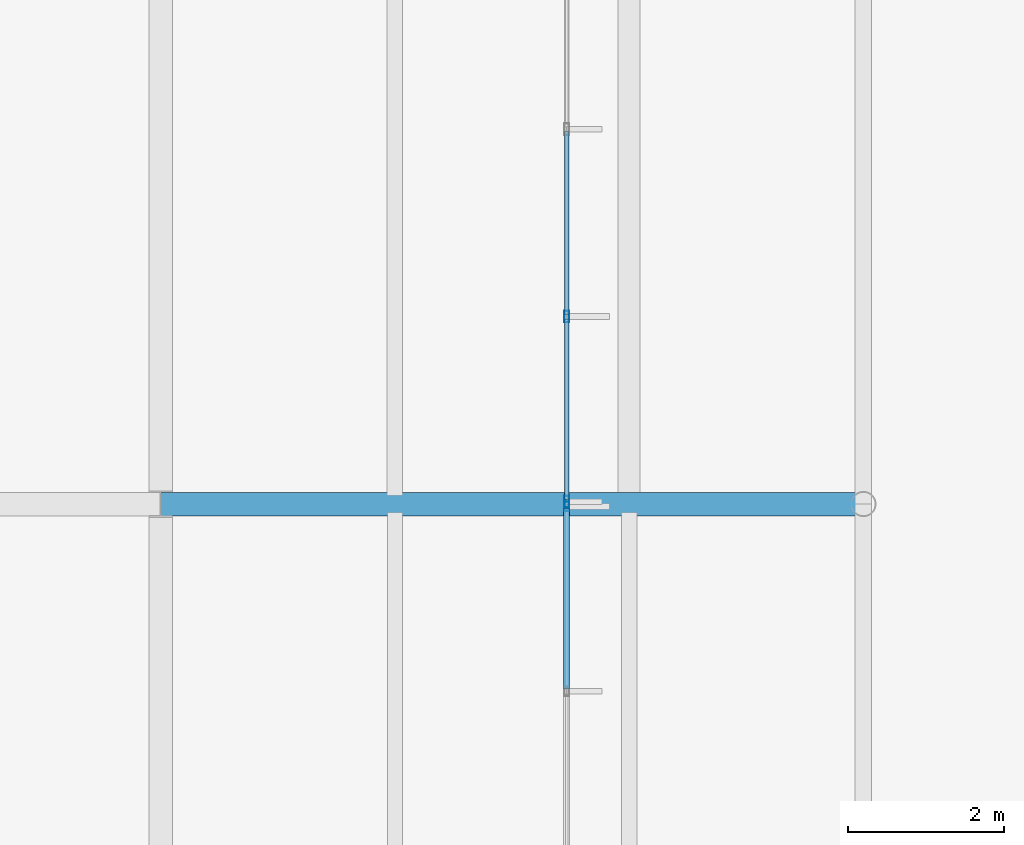
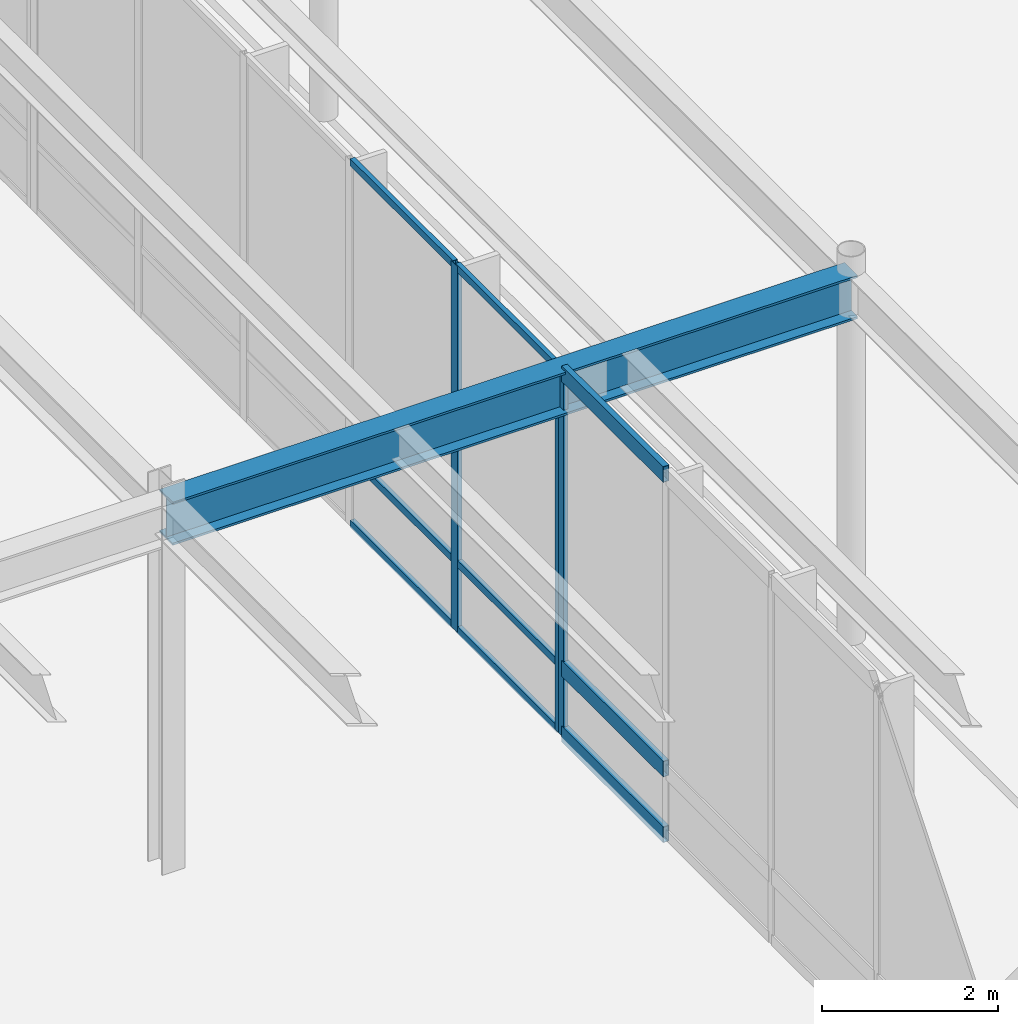
# One storey, part 43 of 143: 12 members, 1 beam, 2 elements without a shape of their own.
"""IFC4 building model written with IfcOpenShell, lengths in metres."""

import ifcopenshell
import ifcopenshell.guid

model = None  # the IFC model being written
_history = None  # IfcOwnerHistory: only IFC2X3 demands one
_inside = {}  # id of a spatial element -> (the spatial element, [elements in it])
_under = {}  # id of a project, library or spatial element -> (it, [spatial elements below it])
_declared = {}  # id of a project -> (the project, [libraries it declares])
_typed = {}  # id of a type object -> (the type object, [elements of that type])
_made_of = {}  # id of a material, layer set ... -> (it, [elements and type objects made of it])


def new_model(schema):
    """Start an empty IFC model of exactly this schema.

    Asked for "IFC4X3", IfcOpenShell would pick the latest addendum, in which some entities
    have other attributes; the version numbers below select the first issue.
    IFC2X3 requires an IfcOwnerHistory on every rooted entity: one is made here for all.
    """
    global model, _history
    if schema == "IFC4X3":
        model = ifcopenshell.file(schema_version=(4, 3, 0, 0))
    else:
        model = ifcopenshell.file(schema=schema)
    _inside.clear()
    _under.clear()
    _declared.clear()
    _typed.clear()
    _made_of.clear()
    _history = None
    if model.schema == "IFC2X3":
        org = make("IfcOrganization", Name="unknown")
        user = make(
            "IfcPersonAndOrganization",
            ThePerson=make("IfcPerson", FamilyName="unknown"),
            TheOrganization=org,
        )
        app = make(
            "IfcApplication",
            ApplicationDeveloper=org,
            Version="unknown",
            ApplicationFullName="unknown",
            ApplicationIdentifier="unknown",
        )
        _history = make(
            "IfcOwnerHistory",
            OwningUser=user,
            OwningApplication=app,
            ChangeAction="ADDED",
            CreationDate=0,
        )
    return model


def make(cls, **values):
    """One entity of the class cls with the attributes given. An attribute that is None is left unset."""
    return model.create_entity(
        cls, **{name: value for name, value in values.items() if value is not None}
    )


def rooted(cls, **values):
    """An entity with a GlobalId (a new one), such as an element, a storey or a relation."""
    return make(cls, GlobalId=ifcopenshell.guid.new(), OwnerHistory=_history, **values)


def si_unit(unit_type, name, prefix=None):
    """IfcSIUnit, for example si_unit("LENGTHUNIT", "METRE", prefix="MILLI")."""
    return make("IfcSIUnit", UnitType=unit_type, Prefix=prefix, Name=name)


def assignment(units):
    """IfcUnitAssignment: the units of a project."""
    return None if units is None else make("IfcUnitAssignment", Units=units)


def point(xyz):
    """IfcCartesianPoint."""
    return None if xyz is None else make("IfcCartesianPoint", Coordinates=xyz)


def direction(xyz):
    """IfcDirection."""
    return None if xyz is None else make("IfcDirection", DirectionRatios=xyz)


def frame(location, z_axis=None, x_axis=None):
    """IfcAxis2Placement3D, a coordinate frame: its origin and axes. An axis left out is left unset."""
    return make(
        "IfcAxis2Placement3D",
        Location=point(location),
        Axis=direction(z_axis),
        RefDirection=direction(x_axis),
    )


def frame_2d(location, x_axis=None):
    """IfcAxis2Placement2D, a coordinate frame in the plane: its origin and x axis."""
    return make(
        "IfcAxis2Placement2D", Location=point(location), RefDirection=direction(x_axis)
    )


def origin():
    """The frame at (0, 0, 0) with its axes left unset."""
    return frame((0.0, 0.0, 0.0))


def origin_2d():
    """The frame at (0, 0) in the plane with its x axis left unset."""
    return frame_2d((0.0, 0.0))


def place(relative_to, where):
    """IfcLocalPlacement: puts the frame where relative to a parent placement (None: the world)."""
    return make(
        "IfcLocalPlacement", PlacementRelTo=relative_to, RelativePlacement=where
    )


def context(
    kind, dimensions, precision=None, world=None, true_north=None, identifier=None
):
    """IfcGeometricRepresentationContext, for example the 3D "Model" context."""
    return make(
        "IfcGeometricRepresentationContext",
        ContextIdentifier=identifier,
        ContextType=kind,
        CoordinateSpaceDimension=dimensions,
        Precision=precision,
        WorldCoordinateSystem=world,
        TrueNorth=true_north,
    )


def subcontext(parent, identifier, kind, view, scale=None):
    """IfcGeometricRepresentationSubContext, for example "Body" below "Model"."""
    return make(
        "IfcGeometricRepresentationSubContext",
        ContextIdentifier=identifier,
        ContextType=kind,
        ParentContext=parent,
        TargetScale=scale,
        TargetView=view,
    )


def project(units=None, contexts=None):
    """IfcProject with its units and contexts."""
    return rooted(
        "IfcProject",
        Name="project",
        RepresentationContexts=contexts,
        UnitsInContext=assignment(units),
    )


def spatial(cls, under=None, at=None, **own):
    """A site, building, storey or space (cls), placed at a placement, below another one or the project."""
    s = rooted(cls, ObjectPlacement=at, **own)
    if under is not None:
        _under.setdefault(under.id(), (under, []))[1].append(s)
    return s


def profile(cls, at=None, kind="AREA", **sizes):
    """A parametric profile (cls). Its sizes go by their IFC names, for example OverallWidth=200.0."""
    return make(cls, ProfileType=kind, Position=at, **sizes)


def hollow_rectangle(**sizes):
    """IfcRectangleHollowProfileDef."""
    return profile("IfcRectangleHollowProfileDef", **sizes)


def i_section(**sizes):
    """IfcIShapeProfileDef."""
    return profile("IfcIShapeProfileDef", **sizes)


def extrude(swept, where, along, depth):
    """IfcExtrudedAreaSolid: the profile swept, set in the frame where, extruded along a direction by depth."""
    return make(
        "IfcExtrudedAreaSolid",
        SweptArea=swept,
        Position=where,
        ExtrudedDirection=direction(along),
        Depth=depth,
    )


def shape(context_of_items, identifier, shape_type, items):
    """IfcShapeRepresentation: the items that make up one representation, for example the "Body"."""
    return make(
        "IfcShapeRepresentation",
        ContextOfItems=context_of_items,
        RepresentationIdentifier=identifier,
        RepresentationType=shape_type,
        Items=items,
    )


def material(Name=None, Category=None):
    """IfcMaterial."""
    return make("IfcMaterial", Name=Name, Category=Category)


def layer(
    of_material, thickness, ventilated=None, Name=None, Category=None, Priority=None
):
    """IfcMaterialLayer: one layer of a wall or slab, of a material (None: an air gap)."""
    return make(
        "IfcMaterialLayer",
        Material=of_material,
        LayerThickness=thickness,
        IsVentilated=ventilated,
        Name=Name,
        Category=Category,
        Priority=Priority,
    )


def layer_set(layers, Name=None):
    """IfcMaterialLayerSet."""
    return make("IfcMaterialLayerSet", MaterialLayers=layers, LayerSetName=Name)


def material_profile(
    of_material, cross_section, Name=None, Category=None, Priority=None
):
    """IfcMaterialProfile: a cross section and its material."""
    return make(
        "IfcMaterialProfile",
        Name=Name,
        Material=of_material,
        Profile=cross_section,
        Priority=Priority,
        Category=Category,
    )


def profile_set(profiles, Name=None, composite=None):
    """IfcMaterialProfileSet."""
    return make(
        "IfcMaterialProfileSet",
        Name=Name,
        MaterialProfiles=profiles,
        CompositeProfile=composite,
    )


def made_of(thing, what):
    """Note that an element or type object is made of a material, layer set ...; save() writes the relation."""
    if what is not None:
        _made_of.setdefault(what.id(), (what, []))[1].append(thing)
    return thing


def type_object(cls, material=None, **own):
    """A type object (cls), such as IfcWallType, which elements share."""
    return made_of(rooted(cls, **own), material)


def element(
    cls,
    number,
    at=None,
    inside=None,
    cuts=None,
    type_object=None,
    material=None,
    context=None,
    identifier="Body",
    shape_type=None,
    held_by="IfcProductDefinitionShape",
    body=None,
    shapes=None,
    **own,
):
    """One element of the class cls, such as IfcWall. Its Tag is "e" and its number.

    at: its placement. inside: the storey or other place that contains it. cuts: it is an
    opening in that element (IfcRelVoidsElement). A single representation is given by context,
    identifier, shape_type and body (its items); several are given by shapes. held_by: the class
    of the entity that holds the representations. save() writes the other relations.
    """
    e = rooted(cls, Tag="e%d" % number, ObjectPlacement=at, **own)
    if body is not None:
        shapes = [shape(context, identifier, shape_type, body)]
    if shapes is not None:
        e.Representation = make(held_by, Representations=shapes)
    if inside is not None:
        _inside.setdefault(inside.id(), (inside, []))[1].append(e)
    if cuts is not None:
        rooted(
            "IfcRelVoidsElement", RelatingBuildingElement=cuts, RelatedOpeningElement=e
        )
    if type_object is not None:
        _typed.setdefault(type_object.id(), (type_object, []))[1].append(e)
    return made_of(e, material)


def aggregate(whole, parts):
    """IfcRelAggregates: a whole, such as a stair, and the parts it consists of."""
    return rooted("IfcRelAggregates", RelatingObject=whole, RelatedObjects=parts)


def save(model, path):
    """Write the relations noted so far, then the file.

    IfcRelAggregates (storeys below a building ...), IfcRelContainedInSpatialStructure (elements
    in a storey), IfcRelDefinesByType, IfcRelAssociatesMaterial and IfcRelDeclares: one each for
    every whole, place, type object, material and project.
    """
    for whole, parts in _under.values():
        aggregate(whole, parts)
    for where, things in _inside.values():
        rooted(
            "IfcRelContainedInSpatialStructure",
            RelatedElements=things,
            RelatingStructure=where,
        )
    for kind, things in _typed.values():
        rooted("IfcRelDefinesByType", RelatedObjects=things, RelatingType=kind)
    for what, things in _made_of.values():
        rooted("IfcRelAssociatesMaterial", RelatedObjects=things, RelatingMaterial=what)
    for by, libraries in _declared.values():
        rooted("IfcRelDeclares", RelatingContext=by, RelatedDefinitions=libraries)
    model.write(path)


model = new_model("IFC4")

# Units and contexts
model_context = context("Model", 3, precision=1e-05, world=origin(), true_north=direction((0.0, 1.0)))
body_context = subcontext(model_context, "Body", "Model", "MODEL_VIEW")
ifc_project = project(units=[si_unit("LENGTHUNIT", "METRE"), si_unit("AREAUNIT", "SQUARE_METRE"), si_unit("VOLUMEUNIT", "CUBIC_METRE"), si_unit("PLANEANGLEUNIT", "RADIAN"), si_unit("MASSUNIT", "GRAM", prefix="KILO")], contexts=[model_context])

# Site, building, storey
site_placement = place(None, origin())
site = spatial("IfcSite", under=ifc_project, at=site_placement, CompositionType="ELEMENT")
building_placement = place(site_placement, origin())
building = spatial("IfcBuilding", under=site, at=building_placement, Name="Montelvaro Courts of Justice", CompositionType="ELEMENT")
storey_placement = place(building_placement, origin())
storey = spatial("IfcBuildingStorey", under=building, at=storey_placement, Name="L00", CompositionType="ELEMENT", Elevation=0.0)

# Beam
ifc_material_1 = material(Name="Steel S355", Category="steel")
ifc_material_profile_1 = material_profile(ifc_material_1, i_section(OverallWidth=0.300048828125, OverallDepth=0.60009765625, WebThickness=0.015380859375, FlangeThickness=0.030029296875, at=origin_2d()), Name="HEB 600")
ifc_profile_set_1 = profile_set([ifc_material_profile_1], Name="Steel S355")
beam_type = type_object("IfcBeamType", Name="Beam_HEB600", PredefinedType="USERDEFINED", material=ifc_profile_set_1)
beam_placement = place(storey_placement, frame((72.0, 54.0, 4.820068359375), z_axis=(1.0, 0.0, 0.0), x_axis=(0.0, 1.0, 0.0)))
element("IfcBeam", 1, at=beam_placement, inside=storey, type_object=beam_type, Name="Beam B-26 L00", ObjectType="GIRDER", PredefinedType="USERDEFINED", context=body_context, shape_type="SweptSolid", body=[
    extrude(i_section(OverallWidth=0.300048828125, OverallDepth=0.60009765625, WebThickness=0.015380859375, FlangeThickness=0.030029296875, at=origin_2d()), origin(), (0.0, 0.0, 1.0), 9.0),
])

# Curtain wall, member
ifc_material_2 = material(Name="Anodised aluminium EN AW-6063", Category="aluminium")
ifc_layer = layer(ifc_material_2, 0.159912109375)
ifc_layer_set = layer_set([ifc_layer], Name="Anodised aluminium EN AW-6063")
curtain_wall_type = type_object("IfcCurtainWallType", Name="CurtainWall_06_1200x508", PredefinedType="USERDEFINED", material=ifc_layer_set)
curtain_wall_1_placement = place(storey_placement, origin())
curtain_wall_1 = element("IfcCurtainWall", 2, at=curtain_wall_1_placement, inside=storey, type_object=curtain_wall_type, Name="Curtain Wall CW-06 (L00)", ObjectType="CURTAIN WALL", PredefinedType="USERDEFINED")
ifc_material_profile_2 = material_profile(ifc_material_2, hollow_rectangle(XDim=0.06005859375, YDim=0.1201171875, WallThickness=0.00341796875, at=origin_2d()), Name="ALU-M 60x120")
ifc_profile_set_2 = profile_set([ifc_material_profile_2], Name="Anodised aluminium EN AW-6063")
member_type_1 = type_object("IfcMemberType", Name="CurtainWall_Mullion_60x120", PredefinedType="MULLION", material=ifc_profile_set_2)
member_1_placement = place(storey_placement, frame((77.199951171875, 53.969970703125, 0.0), z_axis=(0.0, 0.0, 1.0), x_axis=(-1.0, 0.0, 0.0)))
member_1 = element("IfcMember", 3, at=member_1_placement, type_object=member_type_1, Name="CW-06 mullion 6", PredefinedType="MULLION", context=body_context, shape_type="SweptSolid", body=[
    extrude(hollow_rectangle(XDim=0.06005859375, YDim=0.1201171875, WallThickness=0.00341796875, at=origin_2d()), origin(), (0.0, 0.0, 1.0), 5.080078125),
])

# Curtain wall, members
curtain_wall_2_placement = place(storey_placement, origin())
curtain_wall_2 = element("IfcCurtainWall", 4, at=curtain_wall_2_placement, inside=storey, type_object=curtain_wall_type, Name="Curtain Wall CW-06 (L00)", ObjectType="CURTAIN WALL", PredefinedType="USERDEFINED")
ifc_material_profile_3 = material_profile(ifc_material_2, hollow_rectangle(XDim=0.06005859375, YDim=0.14990234375, WallThickness=0.00390625, at=origin_2d()), Name="ALU-M 60x150")
ifc_profile_set_3 = profile_set([ifc_material_profile_3], Name="Anodised aluminium EN AW-6063")
member_type_2 = type_object("IfcMemberType", Name="CurtainWall_Mullion_60x150", PredefinedType="MULLION", material=ifc_profile_set_3)
member_2_placement = place(storey_placement, frame((77.199951171875, 54.030029296875, 0.0), z_axis=(0.0, 0.0, 1.0), x_axis=(-1.0, 0.0, 0.0)))
member_2 = element("IfcMember", 5, at=member_2_placement, type_object=member_type_2, Name="CW-06 mullion 1", PredefinedType="MULLION", context=body_context, shape_type="SweptSolid", body=[
    extrude(hollow_rectangle(XDim=0.06005859375, YDim=0.14990234375, WallThickness=0.00390625, at=origin_2d()), origin(), (0.0, 0.0, 1.0), 5.080078125),
])
member_3_placement = place(storey_placement, frame((77.199951171875, 56.39990234375, 0.0), z_axis=(0.0, 0.0, 1.0), x_axis=(-1.0, 0.0, 0.0)))
member_3 = element("IfcMember", 6, at=member_3_placement, type_object=member_type_2, Name="CW-06 mullion 2", PredefinedType="MULLION", context=body_context, shape_type="SweptSolid", body=[
    extrude(hollow_rectangle(XDim=0.06005859375, YDim=0.14990234375, WallThickness=0.00390625, at=origin_2d()), origin(), (0.0, 0.0, 1.0), 5.080078125),
])
ifc_material_profile_4 = material_profile(ifc_material_2, hollow_rectangle(XDim=0.06005859375, YDim=0.10009765625, WallThickness=0.00341796875, at=origin_2d()), Name="ALU-T 60x100")
ifc_profile_set_4 = profile_set([ifc_material_profile_4], Name="Anodised aluminium EN AW-6063")
member_type_3 = type_object("IfcMemberType", Name="CurtainWall_Transom_60x100", PredefinedType="USERDEFINED", material=ifc_profile_set_4)
member_4_placement = place(storey_placement, frame((77.199951171875, 54.06005859375, 0.030029296875), z_axis=(0.0, 1.0, 0.0), x_axis=(-1.0, 0.0, 0.0)))
member_4 = element("IfcMember", 7, at=member_4_placement, type_object=member_type_3, Name="CW-06 transom 1.1", ObjectType="TRANSOM", PredefinedType="USERDEFINED", context=body_context, shape_type="SweptSolid", body=[
    extrude(hollow_rectangle(XDim=0.06005859375, YDim=0.10009765625, WallThickness=0.00341796875, at=origin_2d()), origin(), (0.0, 0.0, 1.0), 2.31005859375),
])
member_5_placement = place(storey_placement, frame((77.199951171875, 54.06005859375, 0.949951171875), z_axis=(0.0, 1.0, 0.0), x_axis=(-1.0, 0.0, 0.0)))
member_5 = element("IfcMember", 8, at=member_5_placement, type_object=member_type_3, Name="CW-06 transom 1.2", ObjectType="TRANSOM", PredefinedType="USERDEFINED", context=body_context, shape_type="SweptSolid", body=[
    extrude(hollow_rectangle(XDim=0.06005859375, YDim=0.10009765625, WallThickness=0.00341796875, at=origin_2d()), origin(), (0.0, 0.0, 1.0), 2.31005859375),
])
member_6_placement = place(storey_placement, frame((77.199951171875, 54.06005859375, 5.050048828125), z_axis=(0.0, 1.0, 0.0), x_axis=(-1.0, 0.0, 0.0)))
member_6 = element("IfcMember", 9, at=member_6_placement, type_object=member_type_3, Name="CW-06 transom 1.3", ObjectType="TRANSOM", PredefinedType="USERDEFINED", context=body_context, shape_type="SweptSolid", body=[
    extrude(hollow_rectangle(XDim=0.06005859375, YDim=0.10009765625, WallThickness=0.00341796875, at=origin_2d()), origin(), (0.0, 0.0, 1.0), 2.31005859375),
])
member_7_placement = place(storey_placement, frame((77.199951171875, 56.429931640625, 0.030029296875), z_axis=(0.0, 1.0, 0.0), x_axis=(-1.0, 0.0, 0.0)))
member_7 = element("IfcMember", 10, at=member_7_placement, type_object=member_type_3, Name="CW-06 transom 2.1", ObjectType="TRANSOM", PredefinedType="USERDEFINED", context=body_context, shape_type="SweptSolid", body=[
    extrude(hollow_rectangle(XDim=0.06005859375, YDim=0.10009765625, WallThickness=0.00341796875, at=origin_2d()), origin(), (0.0, 0.0, 1.0), 2.340087890625),
])
member_8_placement = place(storey_placement, frame((77.199951171875, 56.429931640625, 0.949951171875), z_axis=(0.0, 1.0, 0.0), x_axis=(-1.0, 0.0, 0.0)))
member_8 = element("IfcMember", 11, at=member_8_placement, type_object=member_type_3, Name="CW-06 transom 2.2", ObjectType="TRANSOM", PredefinedType="USERDEFINED", context=body_context, shape_type="SweptSolid", body=[
    extrude(hollow_rectangle(XDim=0.06005859375, YDim=0.10009765625, WallThickness=0.00341796875, at=origin_2d()), origin(), (0.0, 0.0, 1.0), 2.340087890625),
])
member_9_placement = place(storey_placement, frame((77.199951171875, 56.429931640625, 5.050048828125), z_axis=(0.0, 1.0, 0.0), x_axis=(-1.0, 0.0, 0.0)))
member_9 = element("IfcMember", 12, at=member_9_placement, type_object=member_type_3, Name="CW-06 transom 2.3", ObjectType="TRANSOM", PredefinedType="USERDEFINED", context=body_context, shape_type="SweptSolid", body=[
    extrude(hollow_rectangle(XDim=0.06005859375, YDim=0.10009765625, WallThickness=0.00341796875, at=origin_2d()), origin(), (0.0, 0.0, 1.0), 2.340087890625),
])
aggregate(curtain_wall_2, [member_2, member_3, member_4, member_5, member_6, member_7, member_8, member_9])

# Member
ifc_material_profile_5 = material_profile(ifc_material_2, hollow_rectangle(XDim=0.074951171875, YDim=0.219970703125, WallThickness=0.005615234375, at=origin_2d()), Name="ALU-T 75x220")
ifc_profile_set_5 = profile_set([ifc_material_profile_5], Name="Anodised aluminium EN AW-6063")
member_type_4 = type_object("IfcMemberType", Name="CurtainWall_Transom_75x220", PredefinedType="USERDEFINED", material=ifc_profile_set_5)
member_10_placement = place(storey_placement, frame((77.199951171875, 51.6298828125, 0.03759765625), z_axis=(0.0, 1.0, 0.0), x_axis=(-1.0, 0.0, 0.0)))
member_10 = element("IfcMember", 13, at=member_10_placement, type_object=member_type_4, Name="CW-06 transom 5.1", ObjectType="TRANSOM", PredefinedType="USERDEFINED", context=body_context, shape_type="SweptSolid", body=[
    extrude(hollow_rectangle(XDim=0.074951171875, YDim=0.219970703125, WallThickness=0.005615234375, at=origin_2d()), origin(), (0.0, 0.0, 1.0), 2.31005859375),
])

member_11_placement = place(storey_placement, frame((77.199951171875, 51.6298828125, 0.949951171875), z_axis=(0.0, 1.0, 0.0), x_axis=(-1.0, 0.0, 0.0)))
member_11 = element("IfcMember", 14, at=member_11_placement, type_object=member_type_4, Name="CW-06 transom 5.2", ObjectType="TRANSOM", PredefinedType="USERDEFINED", context=body_context, shape_type="SweptSolid", body=[
    extrude(hollow_rectangle(XDim=0.074951171875, YDim=0.219970703125, WallThickness=0.005615234375, at=origin_2d()), origin(), (0.0, 0.0, 1.0), 2.31005859375),
])

member_12_placement = place(storey_placement, frame((77.199951171875, 51.6298828125, 5.04248046875), z_axis=(0.0, 1.0, 0.0), x_axis=(-1.0, 0.0, 0.0)))
member_12 = element("IfcMember", 15, at=member_12_placement, type_object=member_type_4, Name="CW-06 transom 5.3", ObjectType="TRANSOM", PredefinedType="USERDEFINED", context=body_context, shape_type="SweptSolid", body=[
    extrude(hollow_rectangle(XDim=0.074951171875, YDim=0.219970703125, WallThickness=0.005615234375, at=origin_2d()), origin(), (0.0, 0.0, 1.0), 2.31005859375),
])

aggregate(curtain_wall_1, [member_1, member_10, member_11, member_12])

save(model, "model.ifc")
